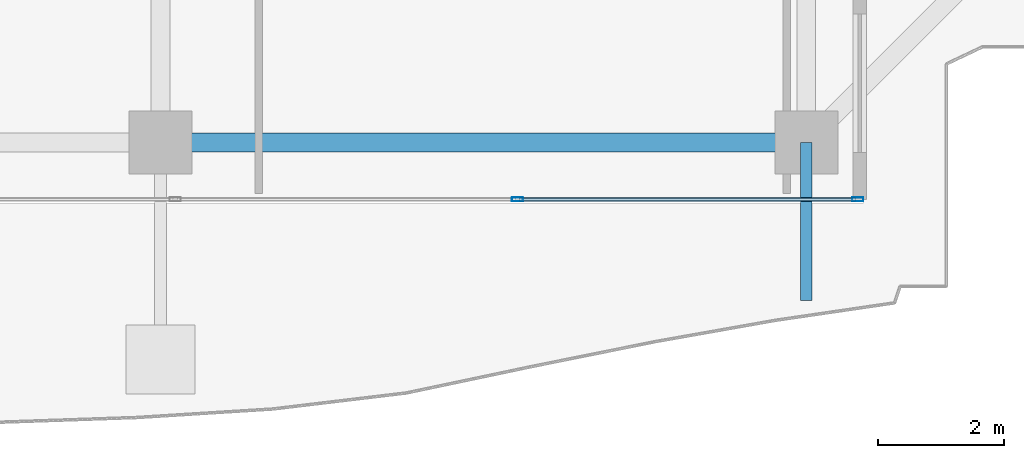
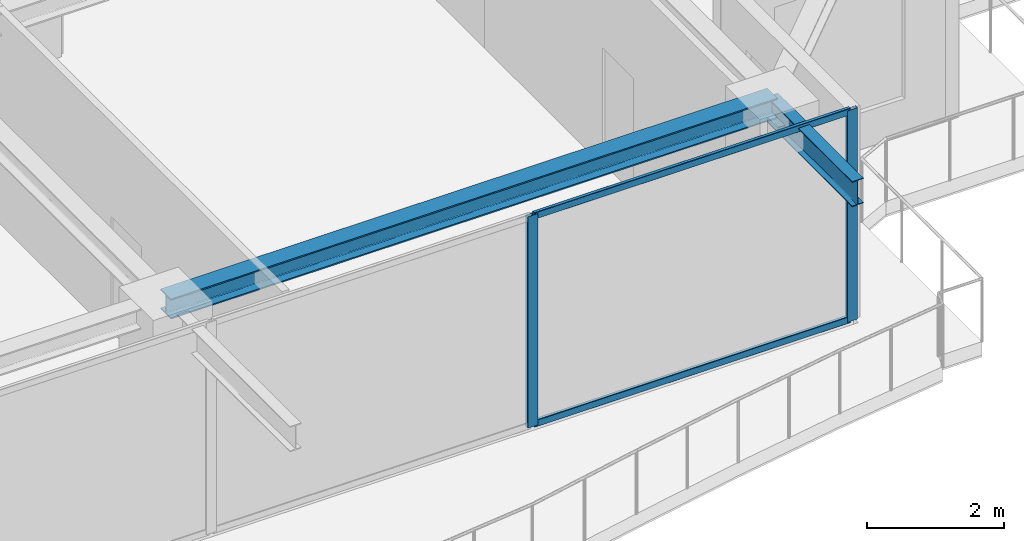
# One storey, part 11 of 38: 4 members, 2 beams, 1 element without a shape of its own.
"""IFC4 building model written with IfcOpenShell, lengths in metres."""

from ifc_helpers import new_model, si_unit, direction, frame, origin, origin_2d, place, context, subcontext, project, spatial, hollow_rectangle, i_section, extrude, source, transform, mapped, material, layer, layer_set, material_profile, profile_set, type_object, element, aggregate, save


model = new_model("IFC4")

# Units and contexts
model_context = context("Model", 3, precision=1e-05, world=origin(), true_north=direction((0.0, 1.0)))
body_context = subcontext(model_context, "Body", "Model", "MODEL_VIEW")
ifc_project = project(units=[si_unit("LENGTHUNIT", "METRE"), si_unit("AREAUNIT", "SQUARE_METRE"), si_unit("VOLUMEUNIT", "CUBIC_METRE"), si_unit("PLANEANGLEUNIT", "RADIAN"), si_unit("MASSUNIT", "GRAM", prefix="KILO")], contexts=[model_context])

# Site, building, storey
site_placement = place(None, origin())
site = spatial("IfcSite", under=ifc_project, at=site_placement, CompositionType="ELEMENT")
building_placement = place(site_placement, origin())
building = spatial("IfcBuilding", under=site, at=building_placement, Name="Serunith Strait Residences", CompositionType="ELEMENT")
storey_placement = place(building_placement, frame((0.0, 0.0, 321.800048828125)))
storey = spatial("IfcBuildingStorey", under=building, at=storey_placement, Name="L80", CompositionType="ELEMENT", Elevation=321.800048828125)

# Beams
ifc_material_1 = material(Name="Steel S355J2", Category="steel")
ifc_material_profile_1 = material_profile(ifc_material_1, i_section(OverallWidth=0.300048828125, OverallDepth=0.360107421875, WebThickness=0.012451171875, FlangeThickness=0.0224609375, FilletRadius=0.027099609375, at=origin_2d()), Name="HEB 360")
ifc_profile_set_1 = profile_set([ifc_material_profile_1], Name="Steel S355J2")
beam_type_1 = type_object("IfcBeamType", Name="BM-HEB360", PredefinedType="BEAM", material=ifc_profile_set_1)
shared_shape_1 = source(origin(), body_context, "Body", "SweptSolid", [
    extrude(i_section(OverallWidth=0.300048828125, OverallDepth=0.360107421875, WebThickness=0.012451171875, FlangeThickness=0.0224609375, FilletRadius=0.027099609375, at=origin_2d()), origin(), (0.0, 0.0, 1.0), 10.25),
])
beam_1_placement = place(storey_placement, frame((36.89990234375, 3.300048828125, 3.60693359375), z_axis=(1.0, 0.0, 0.0), x_axis=(0.0, 1.0, 0.0)))
element("IfcBeam", 1, at=beam_1_placement, inside=storey, type_object=beam_type_1, Name="L80 Perimeter Ring Beam 03", PredefinedType="BEAM", context=body_context, shape_type="MappedRepresentation", body=[
    mapped(shared_shape_1, transform((0.0, 0.0, 0.0), scale=1.0)),
])
ifc_material_profile_2 = material_profile(ifc_material_1, i_section(OverallWidth=0.18994140625, OverallDepth=0.449951171875, WebThickness=0.009521484375, FlangeThickness=0.0146484375, FilletRadius=0.02099609375, at=origin_2d()), Name="IPE 450")
ifc_profile_set_2 = profile_set([ifc_material_profile_2], Name="Steel S355J2")
beam_type_2 = type_object("IfcBeamType", Name="BM-IPE450", PredefinedType="JOIST", material=ifc_profile_set_2)
shared_shape_2 = source(origin(), body_context, "Body", "SweptSolid", [
    extrude(i_section(OverallWidth=0.18994140625, OverallDepth=0.449951171875, WebThickness=0.009521484375, FlangeThickness=0.0146484375, FilletRadius=0.02099609375, at=origin_2d()), origin(), (0.0, 0.0, 1.0), 2.503173828125),
])
beam_2_placement = place(storey_placement, frame((47.14990234375, 3.300048828125, 3.531982421875), z_axis=(0.0, -1.0, 0.0), x_axis=(1.0, 0.0, 0.0)))
element("IfcBeam", 2, at=beam_2_placement, inside=storey, type_object=beam_type_2, Name="L81 Cantilevered Balcony Rib TC-S4", PredefinedType="JOIST", context=body_context, shape_type="MappedRepresentation", body=[
    mapped(shared_shape_2, transform((0.0, 0.0, 0.0), scale=1.0)),
])

# Curtain wall, members
ifc_material_2 = material(Name="Brushed Stainless-Silver Aluminium", Category="aluminium")
ifc_layer = layer(ifc_material_2, 0.199951171875, Name="Brushed Stainless-Silver Aluminium")
ifc_layer_set = layer_set([ifc_layer], Name="Brushed Stainless-Silver Aluminium")
curtain_wall_type = type_object("IfcCurtainWallType", Name="CW-SYS5", PredefinedType="NOTDEFINED", material=ifc_layer_set)
curtain_wall_placement = place(storey_placement, origin())
curtain_wall = element("IfcCurtainWall", 3, at=curtain_wall_placement, inside=storey, type_object=curtain_wall_type, Name="L80 S Unitised Fritted Curtain Wall", PredefinedType="NOTDEFINED")
ifc_material_profile_3 = material_profile(ifc_material_2, hollow_rectangle(XDim=0.06494140625, YDim=0.179931640625, WallThickness=0.00341796875, InnerFilletRadius=0.00537109375, OuterFilletRadius=0.0087890625, at=origin_2d()), Name="ALU 180x65x3.5")
ifc_profile_set_3 = profile_set([ifc_material_profile_3], Name="Brushed Stainless-Silver Aluminium")
member_type_1 = type_object("IfcMemberType", Name="CW-SYS5-MULL", PredefinedType="MULLION", material=ifc_profile_set_3)
shared_shape_3 = source(origin(), body_context, "Body", "SweptSolid", [
    extrude(hollow_rectangle(XDim=0.06494140625, YDim=0.179931640625, WallThickness=0.00341796875, InnerFilletRadius=0.00537109375, OuterFilletRadius=0.0087890625, at=origin_2d()), origin(), (0.0, 0.0, 1.0), 3.77490234375),
])
member_1_placement = place(storey_placement, frame((42.566650390625, 2.39990234375, 0.0), z_axis=(0.0, 0.0, 1.0), x_axis=(0.0, 1.0, 0.0)))
member_1 = element("IfcMember", 4, at=member_1_placement, type_object=member_type_1, Name="CW-5 mullion 3", PredefinedType="MULLION", context=body_context, shape_type="MappedRepresentation", body=[
    mapped(shared_shape_3, transform((0.0, 0.0, 0.0), scale=1.0)),
])
member_2_placement = place(storey_placement, frame((47.967529296875, 2.39990234375, 0.0), z_axis=(0.0, 0.0, 1.0), x_axis=(0.0, 1.0, 0.0)))
member_2 = element("IfcMember", 5, at=member_2_placement, type_object=member_type_1, Name="CW-5 mullion 4", PredefinedType="MULLION", context=body_context, shape_type="MappedRepresentation", body=[
    mapped(shared_shape_3, transform((0.0, 0.0, 0.0), scale=1.0)),
])
ifc_material_profile_4 = material_profile(ifc_material_2, hollow_rectangle(XDim=0.06005859375, YDim=0.1201171875, WallThickness=0.00341796875, InnerFilletRadius=0.00537109375, OuterFilletRadius=0.0087890625, at=origin_2d()), Name="ALU 120x60x3.5")
ifc_profile_set_4 = profile_set([ifc_material_profile_4], Name="Brushed Stainless-Silver Aluminium")
member_type_2 = type_object("IfcMemberType", Name="CW-SYS5-TRAN", PredefinedType="USERDEFINED", material=ifc_profile_set_4)
shared_shape_4 = source(origin(), body_context, "Body", "SweptSolid", [
    extrude(hollow_rectangle(XDim=0.06005859375, YDim=0.1201171875, WallThickness=0.00341796875, InnerFilletRadius=0.00537109375, OuterFilletRadius=0.0087890625, at=origin_2d()), origin(), (0.0, 0.0, 1.0), 5.3359375),
])
member_3_placement = place(storey_placement, frame((42.59912109375, 2.39990234375, 0.030029296875), z_axis=(1.0, 0.0, 0.0), x_axis=(0.0, 1.0, 0.0)))
member_3 = element("IfcMember", 6, at=member_3_placement, type_object=member_type_2, Name="CW-5 transom 3.1", ObjectType="TRANSOM", PredefinedType="USERDEFINED", context=body_context, shape_type="MappedRepresentation", body=[
    mapped(shared_shape_4, transform((0.0, 0.0, 0.0), scale=1.0)),
])
member_4_placement = place(storey_placement, frame((42.59912109375, 2.39990234375, 3.744873046875), z_axis=(1.0, 0.0, 0.0), x_axis=(0.0, 1.0, 0.0)))
member_4 = element("IfcMember", 7, at=member_4_placement, type_object=member_type_2, Name="CW-5 transom 3.2", ObjectType="TRANSOM", PredefinedType="USERDEFINED", context=body_context, shape_type="MappedRepresentation", body=[
    mapped(shared_shape_4, transform((0.0, 0.0, 0.0), scale=1.0)),
])
aggregate(curtain_wall, [member_1, member_2, member_3, member_4])

save(model, "model.ifc")
